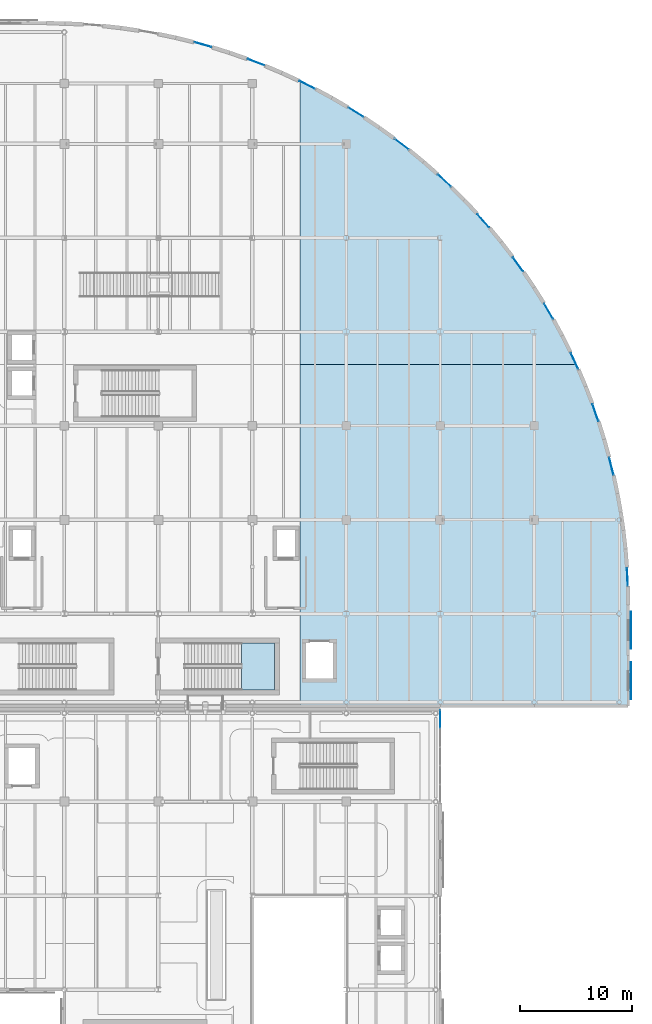
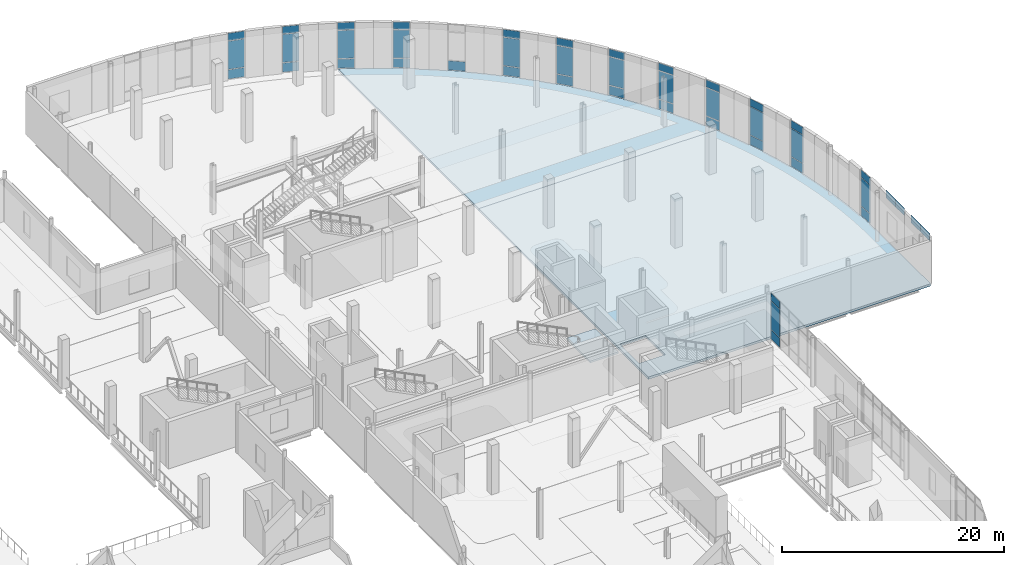
# One storey, part 62 of 110: 44 plates, 3 slabs, 15 elements without a shape of their own.
"""IFC4 building model written with IfcOpenShell, lengths in metres."""

from ifc_helpers import new_model, si_unit, direction, frame, origin, origin_2d, place, context, subcontext, project, spatial, polyline, rectangle, outline, extrude, material, layer, layer_set, type_object, element, aggregate, save


model = new_model("IFC4")

# Units and contexts
model_context = context("Model", 3, precision=1e-05, world=origin(), true_north=direction((0.0, 1.0)))
body_context = subcontext(model_context, "Body", "Model", "MODEL_VIEW")
ifc_project = project(units=[si_unit("LENGTHUNIT", "METRE"), si_unit("AREAUNIT", "SQUARE_METRE"), si_unit("VOLUMEUNIT", "CUBIC_METRE"), si_unit("PLANEANGLEUNIT", "RADIAN"), si_unit("MASSUNIT", "GRAM", prefix="KILO"), si_unit("THERMODYNAMICTEMPERATUREUNIT", "KELVIN")], contexts=[model_context])

# Site, building, storey
site_placement = place(None, origin())
site = spatial("IfcSite", under=ifc_project, at=site_placement, CompositionType="ELEMENT")
building_placement = place(site_placement, origin())
building = spatial("IfcBuilding", under=site, at=building_placement, Name="Lustrewick Department Store", CompositionType="ELEMENT")
storey_placement = place(building_placement, frame((0.0, 0.0, 6.0)))
storey = spatial("IfcBuildingStorey", under=building, at=storey_placement, Name="L02", CompositionType="ELEMENT", Elevation=6.0)

# Curtain wall, plates
ifc_material_1 = material(Name="Thermally broken aluminium 6063-T5", Category="aluminium")
ifc_layer_1 = layer(ifc_material_1, 0.139892578125, Name="Thermally broken aluminium 6063-T5")
ifc_layer_set_1 = layer_set([ifc_layer_1], Name="Thermally broken aluminium 6063-T5")
curtain_wall_type_1 = type_object("IfcCurtainWallType", Name="CW06", PredefinedType="NOTDEFINED", material=ifc_layer_set_1)
curtain_wall_1_placement = place(storey_placement, origin())
curtain_wall_1 = element("IfcCurtainWall", 1, at=curtain_wall_1_placement, inside=storey, type_object=curtain_wall_type_1, Name="L02 V3 Curtain Wall CW06", PredefinedType="NOTDEFINED")
ifc_material_2 = material(Name="Low-E laminated safety glass", Category="glass")
ifc_layer_2 = layer(ifc_material_2, 0.02392578125, Name="Low-E laminated safety glass")
ifc_layer_set_2 = layer_set([ifc_layer_2], Name="Low-E laminated safety glass")
plate_type_1 = type_object("IfcPlateType", Name="CP01", PredefinedType="CURTAIN_PANEL", material=ifc_layer_set_2)
plate_1_placement = place(storey_placement, frame((151.199951171875, 49.399169921875, 0.054931640625), z_axis=(0.0, 0.0, 1.0), x_axis=(0.0, 1.0, 0.0)))
plate_1 = element("IfcPlate", 2, at=plate_1_placement, type_object=plate_type_1, Name="CW06 panel 5.1", PredefinedType="CURTAIN_PANEL", context=body_context, shape_type="SweptSolid", body=[
    extrude(rectangle(XDim=1.591552734375, YDim=0.02392578125, at=origin_2d()), origin(), (0.0, 0.0, 1.0), 1.017578125),
])
plate_2_placement = place(storey_placement, frame((151.199951171875, 49.399169921875, 1.12744140625), z_axis=(0.0, 0.0, 1.0), x_axis=(0.0, 1.0, 0.0)))
plate_2 = element("IfcPlate", 3, at=plate_2_placement, type_object=plate_type_1, Name="CW06 panel 5.2", PredefinedType="CURTAIN_PANEL", context=body_context, shape_type="SweptSolid", body=[
    extrude(rectangle(XDim=1.591552734375, YDim=0.02392578125, at=origin_2d()), origin(), (0.0, 0.0, 1.0), 3.090087890625),
])
plate_3_placement = place(storey_placement, frame((151.199951171875, 49.399169921875, 4.2724609375), z_axis=(0.0, 0.0, 1.0), x_axis=(0.0, 1.0, 0.0)))
plate_3 = element("IfcPlate", 4, at=plate_3_placement, type_object=plate_type_1, Name="CW06 panel 5.3", PredefinedType="CURTAIN_PANEL", context=body_context, shape_type="SweptSolid", body=[
    extrude(rectangle(XDim=1.591552734375, YDim=0.02392578125, at=origin_2d()), origin(), (0.0, 0.0, 1.0), 0.8173828125),
])
aggregate(curtain_wall_1, [plate_1, plate_2, plate_3])

ifc_layer_3 = layer(ifc_material_1, 0.179931640625, Name="Thermally broken aluminium 6063-T5")
ifc_layer_set_3 = layer_set([ifc_layer_3], Name="Thermally broken aluminium 6063-T5")
curtain_wall_type_2 = type_object("IfcCurtainWallType", Name="CW11", PredefinedType="NOTDEFINED", material=ifc_layer_set_3)
curtain_wall_2_placement = place(storey_placement, origin())
curtain_wall_2 = element("IfcCurtainWall", 5, at=curtain_wall_2_placement, inside=storey, type_object=curtain_wall_type_2, Name="L02 V4 Curtain Wall CW11", PredefinedType="NOTDEFINED")
plate_4_placement = place(storey_placement, frame((160.887939453125, 85.8369140625, 0.06494140625), z_axis=(0.0, 0.0, 1.0), x_axis=(-0.504642934299, 0.86332815827, 0.0)))
plate_4 = element("IfcPlate", 6, at=plate_4_placement, type_object=plate_type_1, Name="CW11 panel 1.1", PredefinedType="CURTAIN_PANEL", context=body_context, shape_type="SweptSolid", body=[
    extrude(rectangle(XDim=1.536865234375, YDim=0.02392578125, at=origin_2d()), origin(), (0.0, 0.0, 1.0), 1.00244140625),
])
plate_5_placement = place(storey_placement, frame((160.887939453125, 85.8369140625, 1.132568359375), z_axis=(0.0, 0.0, 1.0), x_axis=(-0.504642934299, 0.86332815827, 0.0)))
plate_5 = element("IfcPlate", 7, at=plate_5_placement, type_object=plate_type_1, Name="CW11 panel 1.2", PredefinedType="CURTAIN_PANEL", context=body_context, shape_type="SweptSolid", body=[
    extrude(rectangle(XDim=1.536865234375, YDim=0.02392578125, at=origin_2d()), origin(), (0.0, 0.0, 1.0), 3.080078125),
])
plate_6_placement = place(storey_placement, frame((160.887939453125, 85.8369140625, 4.27734375), z_axis=(0.0, 0.0, 1.0), x_axis=(-0.504642934299, 0.86332815827, 0.0)))
plate_6 = element("IfcPlate", 8, at=plate_6_placement, type_object=plate_type_1, Name="CW11 panel 1.3", PredefinedType="CURTAIN_PANEL", context=body_context, shape_type="SweptSolid", body=[
    extrude(rectangle(XDim=1.536865234375, YDim=0.02392578125, at=origin_2d()), origin(), (0.0, 0.0, 1.0), 0.802490234375),
])
aggregate(curtain_wall_2, [plate_4, plate_5, plate_6])

ifc_layer_4 = layer(ifc_material_1, 0.199951171875, Name="Thermally broken aluminium 6063-T5")
ifc_layer_set_4 = layer_set([ifc_layer_4], Name="Thermally broken aluminium 6063-T5")
curtain_wall_type_3 = type_object("IfcCurtainWallType", Name="CW01", PredefinedType="NOTDEFINED", material=ifc_layer_set_4)
curtain_wall_3_placement = place(storey_placement, origin())
curtain_wall_3 = element("IfcCurtainWall", 9, at=curtain_wall_3_placement, inside=storey, type_object=curtain_wall_type_3, Name="L02 V4 Curtain Wall CW01", PredefinedType="NOTDEFINED")
plate_7_placement = place(storey_placement, frame((143.662109375, 103.6240234375, 0.06982421875), z_axis=(0.0, 0.0, 1.0), x_axis=(-0.846735387226, 0.532014270503, 0.0)))
plate_7 = element("IfcPlate", 10, at=plate_7_placement, type_object=plate_type_1, Name="CW01 panel 1.1", PredefinedType="CURTAIN_PANEL", context=body_context, shape_type="SweptSolid", body=[
    extrude(rectangle(XDim=1.52685546875, YDim=0.02392578125, at=origin_2d()), origin(), (0.0, 0.0, 1.0), 0.9951171875),
])
plate_8_placement = place(storey_placement, frame((143.662109375, 103.6240234375, 1.13525390625), z_axis=(0.0, 0.0, 1.0), x_axis=(-0.846735387226, 0.532014270503, 0.0)))
plate_8 = element("IfcPlate", 11, at=plate_8_placement, type_object=plate_type_1, Name="CW01 panel 1.2", PredefinedType="CURTAIN_PANEL", context=body_context, shape_type="SweptSolid", body=[
    extrude(rectangle(XDim=1.52685546875, YDim=0.02392578125, at=origin_2d()), origin(), (0.0, 0.0, 1.0), 3.074951171875),
])
plate_9_placement = place(storey_placement, frame((143.662109375, 103.6240234375, 4.280029296875), z_axis=(0.0, 0.0, 1.0), x_axis=(-0.846735387226, 0.532014270503, 0.0)))
plate_9 = element("IfcPlate", 12, at=plate_9_placement, type_object=plate_type_1, Name="CW01 panel 1.3", PredefinedType="CURTAIN_PANEL", context=body_context, shape_type="SweptSolid", body=[
    extrude(rectangle(XDim=1.52685546875, YDim=0.02392578125, at=origin_2d()), origin(), (0.0, 0.0, 1.0), 0.794921875),
])
aggregate(curtain_wall_3, [plate_7, plate_8, plate_9])

ifc_layer_5 = layer(ifc_material_1, 0.1298828125, Name="Thermally broken aluminium 6063-T5")
ifc_layer_set_5 = layer_set([ifc_layer_5], Name="Thermally broken aluminium 6063-T5")
curtain_wall_type_4 = type_object("IfcCurtainWallType", Name="CW07", PredefinedType="NOTDEFINED", material=ifc_layer_set_5)
curtain_wall_4_placement = place(storey_placement, origin())
curtain_wall_4 = element("IfcCurtainWall", 13, at=curtain_wall_4_placement, inside=storey, type_object=curtain_wall_type_4, Name="L02 V4 Curtain Wall CW07", PredefinedType="NOTDEFINED")
ifc_layer_6 = layer(ifc_material_2, 0.02587890625, Name="Low-E laminated safety glass")
ifc_layer_set_6 = layer_set([ifc_layer_6], Name="Low-E laminated safety glass")
plate_type_2 = type_object("IfcPlateType", Name="CP02", PredefinedType="CURTAIN_PANEL", material=ifc_layer_set_6)
plate_10_placement = place(storey_placement, frame((167.933349609375, 62.09912109375, 0.054931640625), z_axis=(0.0, 0.0, 1.0), x_axis=(-0.048052534093, 0.998844809751, 0.0)))
plate_10 = element("IfcPlate", 14, at=plate_10_placement, type_object=plate_type_2, Name="CW07 panel 1.1", PredefinedType="CURTAIN_PANEL", context=body_context, shape_type="SweptSolid", body=[
    extrude(rectangle(XDim=1.556884765625, YDim=0.02587890625, at=origin_2d()), origin(), (0.0, 0.0, 1.0), 1.017578125),
])
plate_11_placement = place(storey_placement, frame((167.933349609375, 62.09912109375, 1.12744140625), z_axis=(0.0, 0.0, 1.0), x_axis=(-0.048052534093, 0.998844809751, 0.0)))
plate_11 = element("IfcPlate", 15, at=plate_11_placement, type_object=plate_type_2, Name="CW07 panel 1.2", PredefinedType="CURTAIN_PANEL", context=body_context, shape_type="SweptSolid", body=[
    extrude(rectangle(XDim=1.556884765625, YDim=0.02587890625, at=origin_2d()), origin(), (0.0, 0.0, 1.0), 3.090087890625),
])
plate_12_placement = place(storey_placement, frame((167.933349609375, 62.09912109375, 4.2724609375), z_axis=(0.0, 0.0, 1.0), x_axis=(-0.048052534093, 0.998844809751, 0.0)))
plate_12 = element("IfcPlate", 16, at=plate_12_placement, type_object=plate_type_2, Name="CW07 panel 1.3", PredefinedType="CURTAIN_PANEL", context=body_context, shape_type="SweptSolid", body=[
    extrude(rectangle(XDim=1.556884765625, YDim=0.02587890625, at=origin_2d()), origin(), (0.0, 0.0, 1.0), 0.8173828125),
])
aggregate(curtain_wall_4, [plate_10, plate_11, plate_12])

ifc_layer_7 = layer(ifc_material_1, 0.169921875, Name="Thermally broken aluminium 6063-T5")
ifc_layer_set_7 = layer_set([ifc_layer_7], Name="Thermally broken aluminium 6063-T5")
curtain_wall_type_5 = type_object("IfcCurtainWallType", Name="CW12", PredefinedType="NOTDEFINED", material=ifc_layer_set_7)
curtain_wall_5_placement = place(storey_placement, origin())
curtain_wall_5 = element("IfcCurtainWall", 17, at=curtain_wall_5_placement, inside=storey, type_object=curtain_wall_type_5, Name="L02 V4 Curtain Wall CW12", PredefinedType="NOTDEFINED")
plate_13_placement = place(storey_placement, frame((158.1611328125, 90.02587890625, 0.06494140625), z_axis=(0.0, 0.0, 1.0), x_axis=(-0.585232055106, 0.810865859237, 0.0)))
plate_13 = element("IfcPlate", 18, at=plate_13_placement, type_object=plate_type_2, Name="CW12 panel 1.1", PredefinedType="CURTAIN_PANEL", context=body_context, shape_type="SweptSolid", body=[
    extrude(rectangle(XDim=1.536865234375, YDim=0.02587890625, at=origin_2d()), origin(), (0.0, 0.0, 1.0), 1.00244140625),
])
plate_14_placement = place(storey_placement, frame((158.1611328125, 90.02587890625, 1.132568359375), z_axis=(0.0, 0.0, 1.0), x_axis=(-0.585232055106, 0.810865859237, 0.0)))
plate_14 = element("IfcPlate", 19, at=plate_14_placement, type_object=plate_type_2, Name="CW12 panel 1.2", PredefinedType="CURTAIN_PANEL", context=body_context, shape_type="SweptSolid", body=[
    extrude(rectangle(XDim=1.536865234375, YDim=0.02587890625, at=origin_2d()), origin(), (0.0, 0.0, 1.0), 3.080078125),
])
plate_15_placement = place(storey_placement, frame((158.1611328125, 90.02587890625, 4.27734375), z_axis=(0.0, 0.0, 1.0), x_axis=(-0.585232055106, 0.810865859237, 0.0)))
plate_15 = element("IfcPlate", 20, at=plate_15_placement, type_object=plate_type_2, Name="CW12 panel 1.3", PredefinedType="CURTAIN_PANEL", context=body_context, shape_type="SweptSolid", body=[
    extrude(rectangle(XDim=1.536865234375, YDim=0.02587890625, at=origin_2d()), origin(), (0.0, 0.0, 1.0), 0.802490234375),
])
aggregate(curtain_wall_5, [plate_13, plate_14, plate_15])

ifc_layer_8 = layer(ifc_material_1, 0.179931640625, Name="Thermally broken aluminium 6063-T5")
ifc_layer_set_8 = layer_set([ifc_layer_8], Name="Thermally broken aluminium 6063-T5")
curtain_wall_type_6 = type_object("IfcCurtainWallType", Name="CW02", PredefinedType="NOTDEFINED", material=ifc_layer_set_8)
curtain_wall_6_placement = place(storey_placement, origin())
curtain_wall_6 = element("IfcCurtainWall", 21, at=curtain_wall_6_placement, inside=storey, type_object=curtain_wall_type_6, Name="L02 V4 Curtain Wall CW02", PredefinedType="NOTDEFINED")
plate_16_placement = place(storey_placement, frame((139.306884765625, 106.076904296875, 0.06494140625), z_axis=(0.0, 0.0, 1.0), x_axis=(-0.893898627635, 0.448269164132, 0.0)))
plate_16 = element("IfcPlate", 22, at=plate_16_placement, type_object=plate_type_2, Name="CW02 panel 1.1", PredefinedType="CURTAIN_PANEL", context=body_context, shape_type="SweptSolid", body=[
    extrude(rectangle(XDim=1.536865234375, YDim=0.02587890625, at=origin_2d()), origin(), (0.0, 0.0, 1.0), 1.00244140625),
])
plate_17_placement = place(storey_placement, frame((139.306884765625, 106.076904296875, 1.132568359375), z_axis=(0.0, 0.0, 1.0), x_axis=(-0.893898627635, 0.448269164132, 0.0)))
plate_17 = element("IfcPlate", 23, at=plate_17_placement, type_object=plate_type_2, Name="CW02 panel 1.2", PredefinedType="CURTAIN_PANEL", context=body_context, shape_type="SweptSolid", body=[
    extrude(rectangle(XDim=1.536865234375, YDim=0.02587890625, at=origin_2d()), origin(), (0.0, 0.0, 1.0), 3.080078125),
])
plate_18_placement = place(storey_placement, frame((139.306884765625, 106.076904296875, 4.27734375), z_axis=(0.0, 0.0, 1.0), x_axis=(-0.893898627635, 0.448269164132, 0.0)))
plate_18 = element("IfcPlate", 24, at=plate_18_placement, type_object=plate_type_2, Name="CW02 panel 1.3", PredefinedType="CURTAIN_PANEL", context=body_context, shape_type="SweptSolid", body=[
    extrude(rectangle(XDim=1.536865234375, YDim=0.02587890625, at=origin_2d()), origin(), (0.0, 0.0, 1.0), 0.802490234375),
])
aggregate(curtain_wall_6, [plate_16, plate_17, plate_18])

ifc_layer_9 = layer(ifc_material_1, 0.1201171875, Name="Thermally broken aluminium 6063-T5")
ifc_layer_set_9 = layer_set([ifc_layer_9], Name="Thermally broken aluminium 6063-T5")
curtain_wall_type_7 = type_object("IfcCurtainWallType", Name="CW08", PredefinedType="NOTDEFINED", material=ifc_layer_set_9)
curtain_wall_7_placement = place(storey_placement, origin())
curtain_wall_7 = element("IfcCurtainWall", 25, at=curtain_wall_7_placement, inside=storey, type_object=curtain_wall_type_7, Name="L02 V4 Curtain Wall CW08", PredefinedType="NOTDEFINED")
ifc_layer_10 = layer(ifc_material_2, 0.028076171875, Name="Low-E laminated safety glass")
ifc_layer_set_10 = layer_set([ifc_layer_10], Name="Low-E laminated safety glass")
plate_type_3 = type_object("IfcPlateType", Name="CP03", PredefinedType="CURTAIN_PANEL", material=ifc_layer_set_10)
plate_19_placement = place(storey_placement, frame((166.497802734375, 71.98046875, 0.050048828125), z_axis=(0.0, 0.0, 1.0), x_axis=(-0.238171345478, 0.971223151595, 0.0)))
plate_19 = element("IfcPlate", 26, at=plate_19_placement, type_object=plate_type_3, Name="CW08 panel 1.1", PredefinedType="CURTAIN_PANEL", context=body_context, shape_type="SweptSolid", body=[
    extrude(rectangle(XDim=1.56689453125, YDim=0.028076171875, at=origin_2d()), origin(), (0.0, 0.0, 1.0), 1.02490234375),
])
plate_20_placement = place(storey_placement, frame((166.497802734375, 71.98046875, 1.125), z_axis=(0.0, 0.0, 1.0), x_axis=(-0.238171345478, 0.971223151595, 0.0)))
plate_20 = element("IfcPlate", 27, at=plate_20_placement, type_object=plate_type_3, Name="CW08 panel 1.2", PredefinedType="CURTAIN_PANEL", context=body_context, shape_type="SweptSolid", body=[
    extrude(rectangle(XDim=1.56689453125, YDim=0.028076171875, at=origin_2d()), origin(), (0.0, 0.0, 1.0), 3.094970703125),
])
plate_21_placement = place(storey_placement, frame((166.497802734375, 71.98046875, 4.27001953125), z_axis=(0.0, 0.0, 1.0), x_axis=(-0.238171345478, 0.971223151595, 0.0)))
plate_21 = element("IfcPlate", 28, at=plate_21_placement, type_object=plate_type_3, Name="CW08 panel 1.3", PredefinedType="CURTAIN_PANEL", context=body_context, shape_type="SweptSolid", body=[
    extrude(rectangle(XDim=1.56689453125, YDim=0.028076171875, at=origin_2d()), origin(), (0.0, 0.0, 1.0), 0.824951171875),
])
aggregate(curtain_wall_7, [plate_19, plate_20, plate_21])

ifc_layer_11 = layer(ifc_material_1, 0.159912109375, Name="Thermally broken aluminium 6063-T5")
ifc_layer_set_11 = layer_set([ifc_layer_11], Name="Thermally broken aluminium 6063-T5")
curtain_wall_type_8 = type_object("IfcCurtainWallType", Name="CW13", PredefinedType="NOTDEFINED", material=ifc_layer_set_11)
curtain_wall_8_placement = place(storey_placement, origin())
curtain_wall_8 = element("IfcCurtainWall", 29, at=curtain_wall_8_placement, inside=storey, type_object=curtain_wall_type_8, Name="L02 V4 Curtain Wall CW13", PredefinedType="NOTDEFINED")
plate_22_placement = place(storey_placement, frame((155.044921875, 93.933837890625, 0.06005859375), z_axis=(0.0, 0.0, 1.0), x_axis=(-0.660358716004, 0.750950308741, 0.0)))
plate_22 = element("IfcPlate", 30, at=plate_22_placement, type_object=plate_type_3, Name="CW13 panel 1.1", PredefinedType="CURTAIN_PANEL", context=body_context, shape_type="SweptSolid", body=[
    extrude(rectangle(XDim=1.546875, YDim=0.028076171875, at=origin_2d()), origin(), (0.0, 0.0, 1.0), 1.010009765625),
])
plate_23_placement = place(storey_placement, frame((155.044921875, 93.933837890625, 1.130126953125), z_axis=(0.0, 0.0, 1.0), x_axis=(-0.660358716004, 0.750950308741, 0.0)))
plate_23 = element("IfcPlate", 31, at=plate_23_placement, type_object=plate_type_3, Name="CW13 panel 1.2", PredefinedType="CURTAIN_PANEL", context=body_context, shape_type="SweptSolid", body=[
    extrude(rectangle(XDim=1.546875, YDim=0.028076171875, at=origin_2d()), origin(), (0.0, 0.0, 1.0), 3.0849609375),
])
plate_24_placement = place(storey_placement, frame((155.044921875, 93.933837890625, 4.27490234375), z_axis=(0.0, 0.0, 1.0), x_axis=(-0.660358716004, 0.750950308741, 0.0)))
plate_24 = element("IfcPlate", 32, at=plate_24_placement, type_object=plate_type_3, Name="CW13 panel 1.3", PredefinedType="CURTAIN_PANEL", context=body_context, shape_type="SweptSolid", body=[
    extrude(rectangle(XDim=1.546875, YDim=0.028076171875, at=origin_2d()), origin(), (0.0, 0.0, 1.0), 0.81005859375),
])
aggregate(curtain_wall_8, [plate_22, plate_23, plate_24])

ifc_layer_12 = layer(ifc_material_1, 0.169921875, Name="Thermally broken aluminium 6063-T5")
ifc_layer_set_12 = layer_set([ifc_layer_12], Name="Thermally broken aluminium 6063-T5")
curtain_wall_type_9 = type_object("IfcCurtainWallType", Name="CW03", PredefinedType="NOTDEFINED", material=ifc_layer_set_12)
curtain_wall_9_placement = place(storey_placement, origin())
curtain_wall_9 = element("IfcCurtainWall", 33, at=curtain_wall_9_placement, inside=storey, type_object=curtain_wall_type_9, Name="L02 V4 Curtain Wall CW03", PredefinedType="NOTDEFINED")
plate_25_placement = place(storey_placement, frame((134.736328125, 108.10009765625, 0.06494140625), z_axis=(0.0, 0.0, 1.0), x_axis=(-0.932809593004, 0.360369620251, 0.0)))
plate_25 = element("IfcPlate", 34, at=plate_25_placement, type_object=plate_type_3, Name="CW03 panel 1.1", PredefinedType="CURTAIN_PANEL", context=body_context, shape_type="SweptSolid", body=[
    extrude(rectangle(XDim=1.536865234375, YDim=0.028076171875, at=origin_2d()), origin(), (0.0, 0.0, 1.0), 1.00244140625),
])
plate_26_placement = place(storey_placement, frame((134.736328125, 108.10009765625, 1.132568359375), z_axis=(0.0, 0.0, 1.0), x_axis=(-0.932809593004, 0.360369620251, 0.0)))
plate_26 = element("IfcPlate", 35, at=plate_26_placement, type_object=plate_type_3, Name="CW03 panel 1.2", PredefinedType="CURTAIN_PANEL", context=body_context, shape_type="SweptSolid", body=[
    extrude(rectangle(XDim=1.536865234375, YDim=0.028076171875, at=origin_2d()), origin(), (0.0, 0.0, 1.0), 3.080078125),
])
plate_27_placement = place(storey_placement, frame((134.736328125, 108.10009765625, 4.27734375), z_axis=(0.0, 0.0, 1.0), x_axis=(-0.932809593004, 0.360369620251, 0.0)))
plate_27 = element("IfcPlate", 36, at=plate_27_placement, type_object=plate_type_3, Name="CW03 panel 1.3", PredefinedType="CURTAIN_PANEL", context=body_context, shape_type="SweptSolid", body=[
    extrude(rectangle(XDim=1.536865234375, YDim=0.028076171875, at=origin_2d()), origin(), (0.0, 0.0, 1.0), 0.802490234375),
])
aggregate(curtain_wall_9, [plate_25, plate_26, plate_27])

ifc_layer_13 = layer(ifc_material_1, 0.110107421875, Name="Thermally broken aluminium 6063-T5")
ifc_layer_set_13 = layer_set([ifc_layer_13], Name="Thermally broken aluminium 6063-T5")
curtain_wall_type_10 = type_object("IfcCurtainWallType", Name="CW09", PredefinedType="NOTDEFINED", material=ifc_layer_set_13)
curtain_wall_10_placement = place(storey_placement, origin())
curtain_wall_10 = element("IfcCurtainWall", 37, at=curtain_wall_10_placement, inside=storey, type_object=curtain_wall_type_10, Name="L02 V4 Curtain Wall CW09", PredefinedType="NOTDEFINED")
ifc_material_3 = material(Name="Tinted ceramic spandrel safety glass", Category="glass")
ifc_layer_14 = layer(ifc_material_3, 0.030029296875, Name="Tinted ceramic spandrel safety glass")
ifc_layer_set_14 = layer_set([ifc_layer_14], Name="Tinted ceramic spandrel safety glass")
plate_type_4 = type_object("IfcPlateType", Name="CP04", PredefinedType="CURTAIN_PANEL", material=ifc_layer_set_14)
plate_28_placement = place(storey_placement, frame((165.07568359375, 76.772216796875, 0.050048828125), z_axis=(0.0, 0.0, 1.0), x_axis=(-0.330248879516, 0.943893891059, 0.0)))
plate_28 = element("IfcPlate", 38, at=plate_28_placement, type_object=plate_type_4, Name="CW09 panel 1.1", PredefinedType="CURTAIN_PANEL", context=body_context, shape_type="SweptSolid", body=[
    extrude(rectangle(XDim=1.56689453125, YDim=0.030029296875, at=origin_2d()), origin(), (0.0, 0.0, 1.0), 1.02490234375),
])
plate_29_placement = place(storey_placement, frame((165.07568359375, 76.772216796875, 1.125), z_axis=(0.0, 0.0, 1.0), x_axis=(-0.330248879516, 0.943893891059, 0.0)))
plate_29 = element("IfcPlate", 39, at=plate_29_placement, type_object=plate_type_4, Name="CW09 panel 1.2", PredefinedType="CURTAIN_PANEL", context=body_context, shape_type="SweptSolid", body=[
    extrude(rectangle(XDim=1.56689453125, YDim=0.030029296875, at=origin_2d()), origin(), (0.0, 0.0, 1.0), 3.094970703125),
])
plate_30_placement = place(storey_placement, frame((165.07568359375, 76.772216796875, 4.27001953125), z_axis=(0.0, 0.0, 1.0), x_axis=(-0.330248879516, 0.943893891059, 0.0)))
plate_30 = element("IfcPlate", 40, at=plate_30_placement, type_object=plate_type_4, Name="CW09 panel 1.3", PredefinedType="CURTAIN_PANEL", context=body_context, shape_type="SweptSolid", body=[
    extrude(rectangle(XDim=1.56689453125, YDim=0.030029296875, at=origin_2d()), origin(), (0.0, 0.0, 1.0), 0.824951171875),
])
aggregate(curtain_wall_10, [plate_28, plate_29, plate_30])

ifc_layer_15 = layer(ifc_material_1, 0.14990234375, Name="Thermally broken aluminium 6063-T5")
ifc_layer_set_15 = layer_set([ifc_layer_15], Name="Thermally broken aluminium 6063-T5")
curtain_wall_type_11 = type_object("IfcCurtainWallType", Name="CW14", PredefinedType="NOTDEFINED", material=ifc_layer_set_15)
curtain_wall_11_placement = place(storey_placement, origin())
curtain_wall_11 = element("IfcCurtainWall", 41, at=curtain_wall_11_placement, inside=storey, type_object=curtain_wall_type_11, Name="L02 V4 Curtain Wall CW14", PredefinedType="NOTDEFINED")
plate_31_placement = place(storey_placement, frame((151.567626953125, 97.5244140625, 0.06005859375), z_axis=(0.0, 0.0, 1.0), x_axis=(-0.729419333383, 0.68406683598, 0.0)))
plate_31 = element("IfcPlate", 42, at=plate_31_placement, type_object=plate_type_4, Name="CW14 panel 1.1", PredefinedType="CURTAIN_PANEL", context=body_context, shape_type="SweptSolid", body=[
    extrude(rectangle(XDim=1.546875, YDim=0.030029296875, at=origin_2d()), origin(), (0.0, 0.0, 1.0), 1.010009765625),
])
plate_32_placement = place(storey_placement, frame((151.567626953125, 97.5244140625, 1.130126953125), z_axis=(0.0, 0.0, 1.0), x_axis=(-0.729419333383, 0.68406683598, 0.0)))
plate_32 = element("IfcPlate", 43, at=plate_32_placement, type_object=plate_type_4, Name="CW14 panel 1.2", PredefinedType="CURTAIN_PANEL", context=body_context, shape_type="SweptSolid", body=[
    extrude(rectangle(XDim=1.546875, YDim=0.030029296875, at=origin_2d()), origin(), (0.0, 0.0, 1.0), 3.0849609375),
])
plate_33_placement = place(storey_placement, frame((151.567626953125, 97.5244140625, 4.27490234375), z_axis=(0.0, 0.0, 1.0), x_axis=(-0.729419333383, 0.68406683598, 0.0)))
plate_33 = element("IfcPlate", 44, at=plate_33_placement, type_object=plate_type_4, Name="CW14 panel 1.3", PredefinedType="CURTAIN_PANEL", context=body_context, shape_type="SweptSolid", body=[
    extrude(rectangle(XDim=1.546875, YDim=0.030029296875, at=origin_2d()), origin(), (0.0, 0.0, 1.0), 0.81005859375),
])
aggregate(curtain_wall_11, [plate_31, plate_32, plate_33])

ifc_layer_16 = layer(ifc_material_1, 0.159912109375, Name="Thermally broken aluminium 6063-T5")
ifc_layer_set_16 = layer_set([ifc_layer_16], Name="Thermally broken aluminium 6063-T5")
curtain_wall_type_12 = type_object("IfcCurtainWallType", Name="CW04", PredefinedType="NOTDEFINED", material=ifc_layer_set_16)
curtain_wall_12_placement = place(storey_placement, origin())
curtain_wall_12 = element("IfcCurtainWall", 45, at=curtain_wall_12_placement, inside=storey, type_object=curtain_wall_type_12, Name="L02 V4 Curtain Wall CW04", PredefinedType="NOTDEFINED")
plate_34_placement = place(storey_placement, frame((129.99267578125, 109.675048828125, 0.06005859375), z_axis=(0.0, 0.0, 1.0), x_axis=(-0.963105943443, 0.269122540313, 0.0)))
plate_34 = element("IfcPlate", 46, at=plate_34_placement, type_object=plate_type_4, Name="CW04 panel 1.1", PredefinedType="CURTAIN_PANEL", context=body_context, shape_type="SweptSolid", body=[
    extrude(rectangle(XDim=1.546875, YDim=0.030029296875, at=origin_2d()), origin(), (0.0, 0.0, 1.0), 1.010009765625),
])
plate_35_placement = place(storey_placement, frame((129.99267578125, 109.675048828125, 1.130126953125), z_axis=(0.0, 0.0, 1.0), x_axis=(-0.963105943443, 0.269122540313, 0.0)))
plate_35 = element("IfcPlate", 47, at=plate_35_placement, type_object=plate_type_4, Name="CW04 panel 1.2", PredefinedType="CURTAIN_PANEL", context=body_context, shape_type="SweptSolid", body=[
    extrude(rectangle(XDim=1.546875, YDim=0.030029296875, at=origin_2d()), origin(), (0.0, 0.0, 1.0), 3.0849609375),
])
plate_36_placement = place(storey_placement, frame((129.99267578125, 109.675048828125, 4.27490234375), z_axis=(0.0, 0.0, 1.0), x_axis=(-0.963105943443, 0.269122540313, 0.0)))
plate_36 = element("IfcPlate", 48, at=plate_36_placement, type_object=plate_type_4, Name="CW04 panel 1.3", PredefinedType="CURTAIN_PANEL", context=body_context, shape_type="SweptSolid", body=[
    extrude(rectangle(XDim=1.546875, YDim=0.030029296875, at=origin_2d()), origin(), (0.0, 0.0, 1.0), 0.81005859375),
])
aggregate(curtain_wall_12, [plate_34, plate_35, plate_36])

ifc_layer_17 = layer(ifc_material_1, 0.199951171875, Name="Thermally broken aluminium 6063-T5")
ifc_layer_set_17 = layer_set([ifc_layer_17], Name="Thermally broken aluminium 6063-T5")
curtain_wall_type_13 = type_object("IfcCurtainWallType", Name="CW10", PredefinedType="NOTDEFINED", material=ifc_layer_set_17)
curtain_wall_13_placement = place(storey_placement, origin())
curtain_wall_13 = element("IfcCurtainWall", 49, at=curtain_wall_13_placement, inside=storey, type_object=curtain_wall_type_13, Name="L02 V4 Curtain Wall CW10", PredefinedType="NOTDEFINED")
ifc_material_4 = material(Name="Low-E triple laminated safety glass", Category="glass")
ifc_layer_18 = layer(ifc_material_4, 0.031982421875, Name="Low-E triple laminated safety glass")
ifc_layer_set_18 = layer_set([ifc_layer_18], Name="Low-E triple laminated safety glass")
plate_type_5 = type_object("IfcPlateType", Name="CP05", PredefinedType="CURTAIN_PANEL", material=ifc_layer_set_18)
plate_37_placement = place(storey_placement, frame((163.199951171875, 81.4052734375, 0.06982421875), z_axis=(0.0, 0.0, 1.0), x_axis=(-0.419381504995, 0.907810086565, 0.0)))
plate_37 = element("IfcPlate", 50, at=plate_37_placement, type_object=plate_type_5, Name="CW10 panel 1.1", PredefinedType="CURTAIN_PANEL", context=body_context, shape_type="SweptSolid", body=[
    extrude(rectangle(XDim=1.527099609375, YDim=0.031982421875, at=origin_2d()), origin(), (0.0, 0.0, 1.0), 0.9951171875),
])
plate_38_placement = place(storey_placement, frame((163.199951171875, 81.4052734375, 1.13525390625), z_axis=(0.0, 0.0, 1.0), x_axis=(-0.419381504995, 0.907810086565, 0.0)))
plate_38 = element("IfcPlate", 51, at=plate_38_placement, type_object=plate_type_5, Name="CW10 panel 1.2", PredefinedType="CURTAIN_PANEL", context=body_context, shape_type="SweptSolid", body=[
    extrude(rectangle(XDim=1.527099609375, YDim=0.031982421875, at=origin_2d()), origin(), (0.0, 0.0, 1.0), 3.074951171875),
])
plate_39_placement = place(storey_placement, frame((163.199951171875, 81.4052734375, 4.280029296875), z_axis=(0.0, 0.0, 1.0), x_axis=(-0.419381504995, 0.907810086565, 0.0)))
plate_39 = element("IfcPlate", 52, at=plate_39_placement, type_object=plate_type_5, Name="CW10 panel 1.3", PredefinedType="CURTAIN_PANEL", context=body_context, shape_type="SweptSolid", body=[
    extrude(rectangle(XDim=1.527099609375, YDim=0.031982421875, at=origin_2d()), origin(), (0.0, 0.0, 1.0), 0.794921875),
])
aggregate(curtain_wall_13, [plate_37, plate_38, plate_39])

# Curtain wall, plate
ifc_layer_19 = layer(ifc_material_1, 0.139892578125, Name="Thermally broken aluminium 6063-T5")
ifc_layer_set_19 = layer_set([ifc_layer_19], Name="Thermally broken aluminium 6063-T5")
curtain_wall_type_14 = type_object("IfcCurtainWallType", Name="CW15", PredefinedType="NOTDEFINED", material=ifc_layer_set_19)
curtain_wall_14_placement = place(storey_placement, origin())
curtain_wall_14 = element("IfcCurtainWall", 53, at=curtain_wall_14_placement, inside=storey, type_object=curtain_wall_type_14, Name="L02 V4 Curtain Wall CW15", PredefinedType="NOTDEFINED")
plate_40_placement = place(storey_placement, frame((147.76171875, 100.764404296875, 0.054931640625), z_axis=(0.0, 0.0, 1.0), x_axis=(-0.791733347039, 0.610866848982, 0.0)))
plate_40 = element("IfcPlate", 54, at=plate_40_placement, type_object=plate_type_5, Name="CW15 panel 1.1", PredefinedType="CURTAIN_PANEL", context=body_context, shape_type="SweptSolid", body=[
    extrude(rectangle(XDim=1.556884765625, YDim=0.031982421875, at=origin_2d()), origin(), (0.0, 0.0, 1.0), 1.017578125),
])
aggregate(curtain_wall_14, [plate_40])

# Slabs
ifc_material_5 = material(Name="Concrete C30", Category="concrete")
ifc_layer_20 = layer(ifc_material_5, 0.25, Name="Concrete C30")
ifc_layer_set_20 = layer_set([ifc_layer_20], Name="Concrete C30")
slab_type_1 = type_object("IfcSlabType", Name="FS02", PredefinedType="FLOOR", material=ifc_layer_set_20)
slab_1_placement = place(storey_placement, frame((0.0, 0.0, -0.25)))
element("IfcSlab", 55, at=slab_1_placement, inside=storey, type_object=slab_type_1, Name="L02 V4 Floor Slab FS02", PredefinedType="FLOOR", context=body_context, shape_type="SweptSolid", body=[
    extrude(outline(polyline([(163.549560546875, 80.648681640625), (163.3525390625, 81.074951171875), (138.675048828125, 81.074951171875), (138.675048828125, 50.550048828125), (168.0, 50.550048828125), (168.0, 59.60009765625), (167.973388671875, 61.2666015625), (167.893310546875, 62.931640625), (167.759765625, 64.59326171875), (167.572998046875, 66.24951171875), (167.33349609375, 67.899169921875), (167.041015625, 69.540283203125), (166.6962890625, 71.171142578125), (166.29931640625, 72.7900390625), (165.8505859375, 74.3955078125), (165.350830078125, 75.985595703125), (164.80029296875, 77.55908203125), (164.19970703125, 79.114013671875), (163.549560546875, 80.648681640625)]), holes=[polyline([(139.050048828125, 52.85009765625), (139.050048828125, 56.35009765625), (141.75, 56.35009765625), (141.75, 52.85009765625), (139.050048828125, 52.85009765625)])]), origin(), (0.0, 0.0, 1.0), 0.25),
])
slab_2_placement = place(storey_placement, frame((0.0, 0.0, -0.25)))
element("IfcSlab", 56, at=slab_2_placement, inside=storey, type_object=slab_type_1, Name="L02 V4 Floor Slab FS02", PredefinedType="FLOOR", context=body_context, shape_type="SweptSolid", body=[
    extrude(outline(polyline([(140.052001953125, 105.703125), (138.675048828125, 106.393798828125), (138.675048828125, 81.074951171875), (163.3525390625, 81.074951171875), (162.850341796875, 82.162109375), (162.103271484375, 83.652099609375), (161.30859375, 85.1171875), (160.46728515625, 86.556396484375), (159.58056640625, 87.9677734375), (158.64892578125, 89.35009765625), (157.673583984375, 90.70166015625), (156.6552734375, 92.021484375), (155.59521484375, 93.307861328125), (154.494384765625, 94.5595703125), (153.354248046875, 95.775390625), (152.175537109375, 96.9541015625), (150.959716796875, 98.094482421875), (149.7080078125, 99.1953125), (148.42138671875, 100.255126953125), (147.101806640625, 101.2734375), (145.75, 102.2490234375), (144.367919921875, 103.1806640625), (142.956298828125, 104.0673828125), (141.517333984375, 104.90869140625), (140.052001953125, 105.703125)])), origin(), (0.0, 0.0, 1.0), 0.25),
])

# Stair, slab
stair_type = type_object("IfcStairType", Name="ST-H54", PredefinedType="HALF_TURN_STAIR", material=ifc_material_5)
stair_placement = place(storey_placement, origin())
stair = element("IfcStair", 57, at=stair_placement, inside=storey, type_object=stair_type, Name="L02 Smoke-Proof Exit Stair ST11", PredefinedType="HALF_TURN_STAIR")
ifc_layer_21 = layer(ifc_material_5, 0.199951171875, Name="Concrete C30")
ifc_layer_set_21 = layer_set([ifc_layer_21], Name="Concrete C30")
slab_type_2 = type_object("IfcSlabType", Name="LS01", PredefinedType="LANDING", material=ifc_layer_set_21)
slab_3_placement = place(storey_placement, frame((0.0, 0.0, 2.5)))
slab_3 = element("IfcSlab", 58, at=slab_3_placement, type_object=slab_type_2, Name="ST-H54 landing 1", PredefinedType="LANDING", context=body_context, shape_type="SweptSolid", body=[
    extrude(outline(polyline([(133.449951171875, 52.0), (136.39990234375, 52.0), (136.39990234375, 56.199951171875), (133.449951171875, 56.199951171875), (133.449951171875, 52.0)])), origin(), (0.0, 0.0, 1.0), 0.199951171875),
])
aggregate(stair, [slab_3])

# Plates
ifc_material_6 = material(Name="Perforated white powder-coated aluminium 3003-H24", Category="aluminium")
ifc_layer_22 = layer(ifc_material_6, 0.010009765625, Name="Perforated white powder-coated aluminium 3003-H24")
ifc_layer_set_22 = layer_set([ifc_layer_22], Name="Perforated white powder-coated aluminium 3003-H24")
plate_type_6 = type_object("IfcPlateType", Name="PS02", PredefinedType="SHEET", material=ifc_layer_set_22)
for number, where, z_axis, x_axis, name in (
    (59, (168.2548828125, 56.49755859375, 4.22509765625), (0.0, 0.0, 1.0), (0.0, 1.0, 0.0), "L02 Botanical Filigree Cassette PS02 0200"),
    (60, (168.2548828125, 58.177490234375, 4.22509765625), (0.0, 0.0, 1.0), (0.0, 1.0, 0.0), "L02 Botanical Filigree Cassette PS02 0201"),
):
    element("IfcPlate", number, at=place(storey_placement, frame(where, z_axis=z_axis, x_axis=x_axis)), inside=storey, type_object=plate_type_6, Name=name, PredefinedType="SHEET", context=body_context, shape_type="SweptSolid", body=[
        extrude(rectangle(XDim=1.639892578125, YDim=0.010009765625, at=origin_2d()), origin(), (0.0, 0.0, 1.0), 0.840087890625),
    ])
ifc_material_7 = material(Name="Sage-green enamelled aluminium spandrel 3003-H24", Category="aluminium")
ifc_layer_23 = layer(ifc_material_7, 0.01611328125, Name="Sage-green enamelled aluminium spandrel 3003-H24")
ifc_layer_set_23 = layer_set([ifc_layer_23], Name="Sage-green enamelled aluminium spandrel 3003-H24")
plate_type_7 = type_object("IfcPlateType", Name="PS05", PredefinedType="SHEET", material=ifc_layer_set_23)
for number, where, z_axis, x_axis, name in (
    (61, (168.248046875, 51.972412109375, 4.22509765625), (0.0, 0.0, 1.0), (0.0, 1.0, 0.0), "L02 Botanical Filigree Cassette PS05 0198"),
    (62, (168.248046875, 53.652587890625, 4.22509765625), (0.0, 0.0, 1.0), (0.0, 1.0, 0.0), "L02 Botanical Filigree Cassette PS05 0199"),
):
    element("IfcPlate", number, at=place(storey_placement, frame(where, z_axis=z_axis, x_axis=x_axis)), inside=storey, type_object=plate_type_7, Name=name, PredefinedType="SHEET", context=body_context, shape_type="SweptSolid", body=[
        extrude(rectangle(XDim=1.639892578125, YDim=0.01611328125, at=origin_2d()), origin(), (0.0, 0.0, 1.0), 0.840087890625),
    ])

save(model, "model.ifc")
